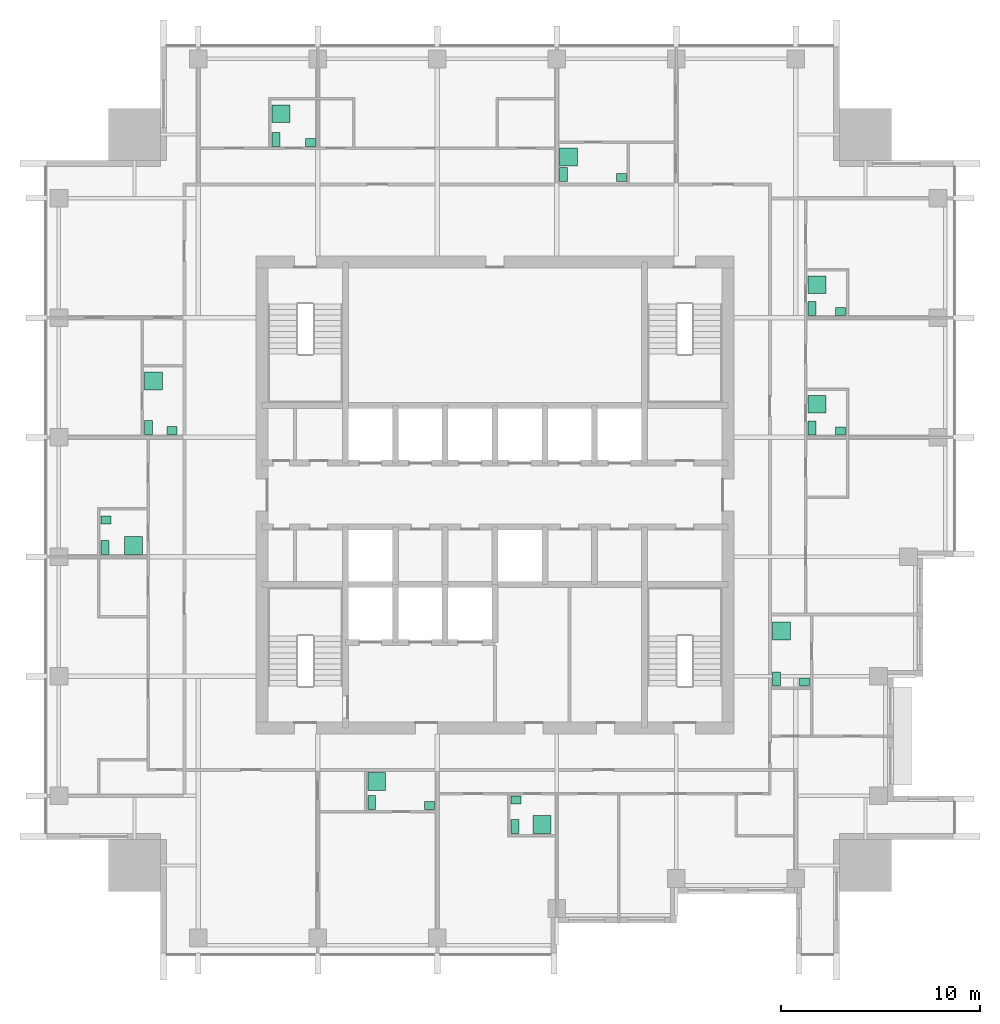
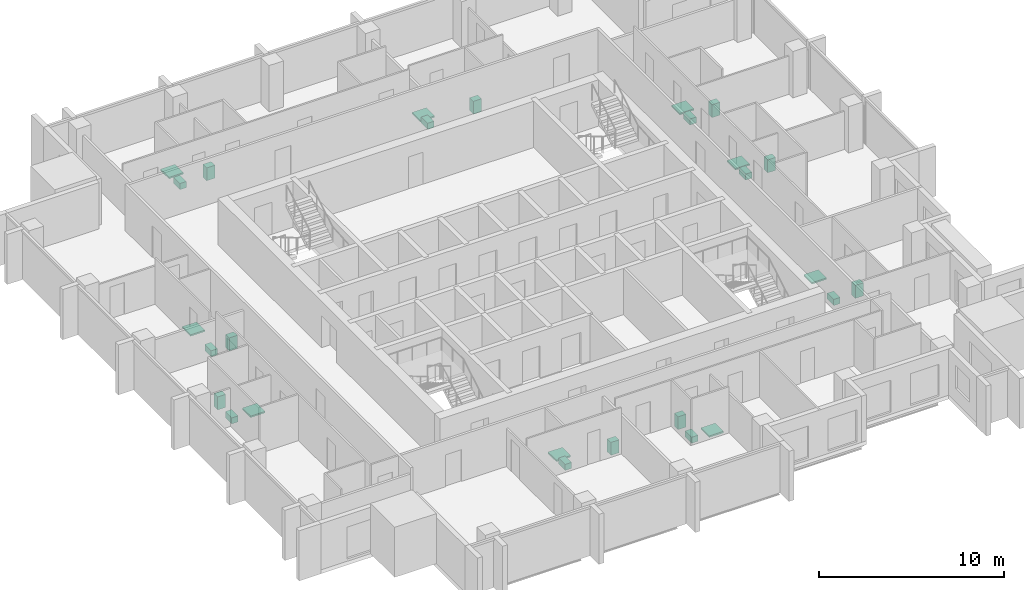
# One storey, part 10 of 10: 27 sanitary terminals.
"""IFC4 building model written with IfcOpenShell, lengths in metres."""

from ifc_helpers import new_model, si_unit, direction, frame, origin, origin_2d, place, context, subcontext, project, spatial, rectangle, extrude, element, save


model = new_model("IFC4")

# Units and contexts
model_context = context("Model", 3, precision=1e-05, world=origin(), true_north=direction((0.0, 1.0)))
body_context = subcontext(model_context, "Body", "Model", "MODEL_VIEW")
ifc_project = project(units=[si_unit("LENGTHUNIT", "METRE"), si_unit("AREAUNIT", "SQUARE_METRE"), si_unit("VOLUMEUNIT", "CUBIC_METRE"), si_unit("PLANEANGLEUNIT", "RADIAN"), si_unit("MASSUNIT", "GRAM", prefix="KILO")], contexts=[model_context])

# Site, building, storey
site_placement = place(None, origin())
site = spatial("IfcSite", under=ifc_project, at=site_placement, CompositionType="ELEMENT")
building_placement = place(site_placement, origin())
building = spatial("IfcBuilding", under=site, at=building_placement, Name="Amberfall Residences", CompositionType="ELEMENT")
storey_placement = place(building_placement, frame((0.0, 0.0, 190.300048828125)))
storey = spatial("IfcBuildingStorey", under=building, at=storey_placement, Name="L50", CompositionType="ELEMENT", Elevation=190.300048828125)

# Sanitary terminals
sanitary_terminal_1_placement = place(storey_placement, frame((68.31005859375, 30.06005859375, 0.0), z_axis=(0.0, 0.0, 1.0), x_axis=(1.0, 0.0, 0.0)))
element("IfcSanitaryTerminal", 1, at=sanitary_terminal_1_placement, inside=storey, Name="Water closet 5001", PredefinedType="TOILETPAN", context=body_context, shape_type="SweptSolid", body=[
    extrude(rectangle(XDim=0.39990234375, YDim=0.699951171875, at=origin_2d()), origin(), (0.0, 0.0, 1.0), 0.39990234375),
])
sanitary_terminal_2_placement = place(storey_placement, frame((71.215087890625, 29.909912109375, 0.0), z_axis=(0.0, 0.0, 1.0), x_axis=(1.0, 0.0, 0.0)))
element("IfcSanitaryTerminal", 2, at=sanitary_terminal_2_placement, inside=storey, Name="Basin 5001", PredefinedType="WASHHANDBASIN", context=body_context, shape_type="SweptSolid", body=[
    extrude(rectangle(XDim=0.5, YDim=0.39990234375, at=origin_2d()), origin(), (0.0, 0.0, 1.0), 0.85009765625),
])
sanitary_terminal_3_placement = place(storey_placement, frame((68.56005859375, 31.114990234375, 0.0), z_axis=(0.0, 0.0, 1.0), x_axis=(1.0, 0.0, 0.0)))
element("IfcSanitaryTerminal", 3, at=sanitary_terminal_3_placement, inside=storey, Name="Shower tray 5001", PredefinedType="SHOWER", context=body_context, shape_type="SweptSolid", body=[
    extrude(rectangle(XDim=0.89990234375, YDim=0.89990234375, at=origin_2d()), origin(), (0.0, 0.0, 1.0), 0.10009765625),
])
sanitary_terminal_4_placement = place(storey_placement, frame((75.510009765625, 28.860107421875, 0.0), z_axis=(0.0, 0.0, 1.0), x_axis=(1.0, 0.0, 0.0)))
element("IfcSanitaryTerminal", 4, at=sanitary_terminal_4_placement, inside=storey, Name="Water closet 5002", PredefinedType="TOILETPAN", context=body_context, shape_type="SweptSolid", body=[
    extrude(rectangle(XDim=0.39990234375, YDim=0.699951171875, at=origin_2d()), origin(), (0.0, 0.0, 1.0), 0.39990234375),
])
sanitary_terminal_5_placement = place(storey_placement, frame((75.56005859375, 30.18994140625, 0.0), z_axis=(0.0, 0.0, 1.0), x_axis=(1.0, 0.0, 0.0)))
element("IfcSanitaryTerminal", 5, at=sanitary_terminal_5_placement, inside=storey, Name="Basin 5002", PredefinedType="WASHHANDBASIN", context=body_context, shape_type="SweptSolid", body=[
    extrude(rectangle(XDim=0.5, YDim=0.39990234375, at=origin_2d()), origin(), (0.0, 0.0, 1.0), 0.85009765625),
])
sanitary_terminal_6_placement = place(storey_placement, frame((76.857177734375, 28.9599609375, 0.0), z_axis=(0.0, 0.0, 1.0), x_axis=(1.0, 0.0, 0.0)))
element("IfcSanitaryTerminal", 6, at=sanitary_terminal_6_placement, inside=storey, Name="Shower tray 5002", PredefinedType="SHOWER", context=body_context, shape_type="SweptSolid", body=[
    extrude(rectangle(XDim=0.89990234375, YDim=0.89990234375, at=origin_2d()), origin(), (0.0, 0.0, 1.0), 0.10009765625),
])
sanitary_terminal_7_placement = place(storey_placement, frame((88.635009765625, 36.260009765625, 0.0), z_axis=(0.0, 0.0, 1.0), x_axis=(1.0, 0.0, 0.0)))
element("IfcSanitaryTerminal", 7, at=sanitary_terminal_7_placement, inside=storey, Name="Water closet 5003", PredefinedType="TOILETPAN", context=body_context, shape_type="SweptSolid", body=[
    extrude(rectangle(XDim=0.39990234375, YDim=0.699951171875, at=origin_2d()), origin(), (0.0, 0.0, 1.0), 0.39990234375),
])
sanitary_terminal_8_placement = place(storey_placement, frame((90.0400390625, 36.110107421875, 0.0), z_axis=(0.0, 0.0, 1.0), x_axis=(1.0, 0.0, 0.0)))
element("IfcSanitaryTerminal", 8, at=sanitary_terminal_8_placement, inside=storey, Name="Basin 5003", PredefinedType="WASHHANDBASIN", context=body_context, shape_type="SweptSolid", body=[
    extrude(rectangle(XDim=0.5, YDim=0.39990234375, at=origin_2d()), origin(), (0.0, 0.0, 1.0), 0.85009765625),
])
sanitary_terminal_9_placement = place(storey_placement, frame((88.885009765625, 38.6826171875, 0.0), z_axis=(0.0, 0.0, 1.0), x_axis=(1.0, 0.0, 0.0)))
element("IfcSanitaryTerminal", 9, at=sanitary_terminal_9_placement, inside=storey, Name="Shower tray 5003", PredefinedType="SHOWER", context=body_context, shape_type="SweptSolid", body=[
    extrude(rectangle(XDim=0.89990234375, YDim=0.89990234375, at=origin_2d()), origin(), (0.0, 0.0, 1.0), 0.10009765625),
])
sanitary_terminal_10_placement = place(storey_placement, frame((90.409912109375, 48.860107421875, 0.0), z_axis=(0.0, 0.0, 1.0), x_axis=(1.0, 0.0, 0.0)))
element("IfcSanitaryTerminal", 10, at=sanitary_terminal_10_placement, inside=storey, Name="Water closet 5004", PredefinedType="TOILETPAN", context=body_context, shape_type="SweptSolid", body=[
    extrude(rectangle(XDim=0.39990234375, YDim=0.699951171875, at=origin_2d()), origin(), (0.0, 0.0, 1.0), 0.39990234375),
])
sanitary_terminal_11_placement = place(storey_placement, frame((91.840087890625, 48.7099609375, 0.0), z_axis=(0.0, 0.0, 1.0), x_axis=(1.0, 0.0, 0.0)))
element("IfcSanitaryTerminal", 11, at=sanitary_terminal_11_placement, inside=storey, Name="Basin 5004", PredefinedType="WASHHANDBASIN", context=body_context, shape_type="SweptSolid", body=[
    extrude(rectangle(XDim=0.5, YDim=0.39990234375, at=origin_2d()), origin(), (0.0, 0.0, 1.0), 0.85009765625),
])
sanitary_terminal_12_placement = place(storey_placement, frame((90.659912109375, 50.05712890625, 0.0), z_axis=(0.0, 0.0, 1.0), x_axis=(1.0, 0.0, 0.0)))
element("IfcSanitaryTerminal", 12, at=sanitary_terminal_12_placement, inside=storey, Name="Shower tray 5004", PredefinedType="SHOWER", context=body_context, shape_type="SweptSolid", body=[
    extrude(rectangle(XDim=0.89990234375, YDim=0.89990234375, at=origin_2d()), origin(), (0.0, 0.0, 1.0), 0.10009765625),
])
sanitary_terminal_13_placement = place(storey_placement, frame((90.409912109375, 54.860107421875, 0.0), z_axis=(0.0, 0.0, 1.0), x_axis=(1.0, 0.0, 0.0)))
element("IfcSanitaryTerminal", 13, at=sanitary_terminal_13_placement, inside=storey, Name="Water closet 5004", PredefinedType="TOILETPAN", context=body_context, shape_type="SweptSolid", body=[
    extrude(rectangle(XDim=0.39990234375, YDim=0.699951171875, at=origin_2d()), origin(), (0.0, 0.0, 1.0), 0.39990234375),
])
sanitary_terminal_14_placement = place(storey_placement, frame((91.840087890625, 54.7099609375, 0.0), z_axis=(0.0, 0.0, 1.0), x_axis=(1.0, 0.0, 0.0)))
element("IfcSanitaryTerminal", 14, at=sanitary_terminal_14_placement, inside=storey, Name="Basin 5004", PredefinedType="WASHHANDBASIN", context=body_context, shape_type="SweptSolid", body=[
    extrude(rectangle(XDim=0.5, YDim=0.39990234375, at=origin_2d()), origin(), (0.0, 0.0, 1.0), 0.85009765625),
])
sanitary_terminal_15_placement = place(storey_placement, frame((90.659912109375, 56.05712890625, 0.0), z_axis=(0.0, 0.0, 1.0), x_axis=(1.0, 0.0, 0.0)))
element("IfcSanitaryTerminal", 15, at=sanitary_terminal_15_placement, inside=storey, Name="Shower tray 5004", PredefinedType="SHOWER", context=body_context, shape_type="SweptSolid", body=[
    extrude(rectangle(XDim=0.89990234375, YDim=0.89990234375, at=origin_2d()), origin(), (0.0, 0.0, 1.0), 0.10009765625),
])
sanitary_terminal_16_placement = place(storey_placement, frame((63.510009765625, 63.360107421875, 0.0), z_axis=(0.0, 0.0, 1.0), x_axis=(1.0, 0.0, 0.0)))
element("IfcSanitaryTerminal", 16, at=sanitary_terminal_16_placement, inside=storey, Name="Water closet 5005", PredefinedType="TOILETPAN", context=body_context, shape_type="SweptSolid", body=[
    extrude(rectangle(XDim=0.39990234375, YDim=0.699951171875, at=origin_2d()), origin(), (0.0, 0.0, 1.0), 0.39990234375),
])
sanitary_terminal_17_placement = place(storey_placement, frame((65.239990234375, 63.2099609375, 0.0), z_axis=(0.0, 0.0, 1.0), x_axis=(1.0, 0.0, 0.0)))
element("IfcSanitaryTerminal", 17, at=sanitary_terminal_17_placement, inside=storey, Name="Basin 5005", PredefinedType="WASHHANDBASIN", context=body_context, shape_type="SweptSolid", body=[
    extrude(rectangle(XDim=0.5, YDim=0.39990234375, at=origin_2d()), origin(), (0.0, 0.0, 1.0), 0.85009765625),
])
sanitary_terminal_18_placement = place(storey_placement, frame((63.760009765625, 64.642822265625, 0.0), z_axis=(0.0, 0.0, 1.0), x_axis=(1.0, 0.0, 0.0)))
element("IfcSanitaryTerminal", 18, at=sanitary_terminal_18_placement, inside=storey, Name="Shower tray 5005", PredefinedType="SHOWER", context=body_context, shape_type="SweptSolid", body=[
    extrude(rectangle(XDim=0.89990234375, YDim=0.89990234375, at=origin_2d()), origin(), (0.0, 0.0, 1.0), 0.10009765625),
])
sanitary_terminal_19_placement = place(storey_placement, frame((77.93505859375, 61.5849609375, 0.0), z_axis=(0.0, 0.0, 1.0), x_axis=(1.0, 0.0, 0.0)))
element("IfcSanitaryTerminal", 19, at=sanitary_terminal_19_placement, inside=storey, Name="Water closet 5006", PredefinedType="TOILETPAN", context=body_context, shape_type="SweptSolid", body=[
    extrude(rectangle(XDim=0.39990234375, YDim=0.699951171875, at=origin_2d()), origin(), (0.0, 0.0, 1.0), 0.39990234375),
])
sanitary_terminal_20_placement = place(storey_placement, frame((80.840087890625, 61.43505859375, 0.0), z_axis=(0.0, 0.0, 1.0), x_axis=(1.0, 0.0, 0.0)))
element("IfcSanitaryTerminal", 20, at=sanitary_terminal_20_placement, inside=storey, Name="Basin 5006", PredefinedType="WASHHANDBASIN", context=body_context, shape_type="SweptSolid", body=[
    extrude(rectangle(XDim=0.5, YDim=0.39990234375, at=origin_2d()), origin(), (0.0, 0.0, 1.0), 0.85009765625),
])
sanitary_terminal_21_placement = place(storey_placement, frame((78.18505859375, 62.480712890625, 0.0), z_axis=(0.0, 0.0, 1.0), x_axis=(1.0, 0.0, 0.0)))
element("IfcSanitaryTerminal", 21, at=sanitary_terminal_21_placement, inside=storey, Name="Shower tray 5006", PredefinedType="SHOWER", context=body_context, shape_type="SweptSolid", body=[
    extrude(rectangle(XDim=0.89990234375, YDim=0.89990234375, at=origin_2d()), origin(), (0.0, 0.0, 1.0), 0.10009765625),
])
sanitary_terminal_22_placement = place(storey_placement, frame((54.909912109375, 42.860107421875, 0.0), z_axis=(0.0, 0.0, 1.0), x_axis=(1.0, 0.0, 0.0)))
element("IfcSanitaryTerminal", 22, at=sanitary_terminal_22_placement, inside=storey, Name="Water closet 5007", PredefinedType="TOILETPAN", context=body_context, shape_type="SweptSolid", body=[
    extrude(rectangle(XDim=0.39990234375, YDim=0.699951171875, at=origin_2d()), origin(), (0.0, 0.0, 1.0), 0.39990234375),
])
sanitary_terminal_23_placement = place(storey_placement, frame((54.9599609375, 44.235595703125, 0.0), z_axis=(0.0, 0.0, 1.0), x_axis=(1.0, 0.0, 0.0)))
element("IfcSanitaryTerminal", 23, at=sanitary_terminal_23_placement, inside=storey, Name="Basin 5007", PredefinedType="WASHHANDBASIN", context=body_context, shape_type="SweptSolid", body=[
    extrude(rectangle(XDim=0.5, YDim=0.39990234375, at=origin_2d()), origin(), (0.0, 0.0, 1.0), 0.85009765625),
])
sanitary_terminal_24_placement = place(storey_placement, frame((56.3427734375, 42.9599609375, 0.0), z_axis=(0.0, 0.0, 1.0), x_axis=(1.0, 0.0, 0.0)))
element("IfcSanitaryTerminal", 24, at=sanitary_terminal_24_placement, inside=storey, Name="Shower tray 5007", PredefinedType="SHOWER", context=body_context, shape_type="SweptSolid", body=[
    extrude(rectangle(XDim=0.89990234375, YDim=0.89990234375, at=origin_2d()), origin(), (0.0, 0.0, 1.0), 0.10009765625),
])
sanitary_terminal_25_placement = place(storey_placement, frame((57.110107421875, 48.885009765625, 0.0), z_axis=(0.0, 0.0, 1.0), x_axis=(1.0, 0.0, 0.0)))
element("IfcSanitaryTerminal", 25, at=sanitary_terminal_25_placement, inside=storey, Name="Water closet 5008", PredefinedType="TOILETPAN", context=body_context, shape_type="SweptSolid", body=[
    extrude(rectangle(XDim=0.39990234375, YDim=0.699951171875, at=origin_2d()), origin(), (0.0, 0.0, 1.0), 0.39990234375),
])
sanitary_terminal_26_placement = place(storey_placement, frame((58.2890625, 48.735107421875, 0.0), z_axis=(0.0, 0.0, 1.0), x_axis=(1.0, 0.0, 0.0)))
element("IfcSanitaryTerminal", 26, at=sanitary_terminal_26_placement, inside=storey, Name="Basin 5008", PredefinedType="WASHHANDBASIN", context=body_context, shape_type="SweptSolid", body=[
    extrude(rectangle(XDim=0.5, YDim=0.39990234375, at=origin_2d()), origin(), (0.0, 0.0, 1.0), 0.85009765625),
])
sanitary_terminal_27_placement = place(storey_placement, frame((57.360107421875, 51.216796875, 0.0), z_axis=(0.0, 0.0, 1.0), x_axis=(1.0, 0.0, 0.0)))
element("IfcSanitaryTerminal", 27, at=sanitary_terminal_27_placement, inside=storey, Name="Shower tray 5008", PredefinedType="SHOWER", context=body_context, shape_type="SweptSolid", body=[
    extrude(rectangle(XDim=0.89990234375, YDim=0.89990234375, at=origin_2d()), origin(), (0.0, 0.0, 1.0), 0.10009765625),
])

save(model, "model.ifc")
